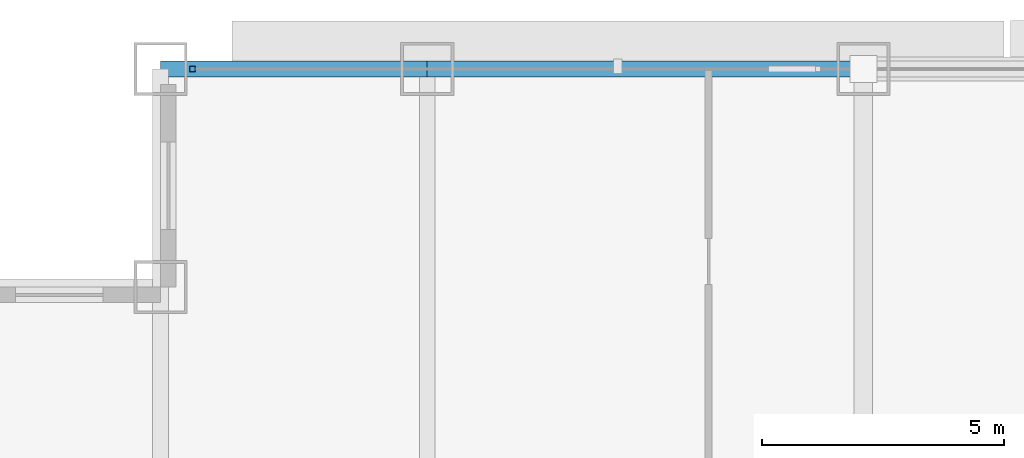
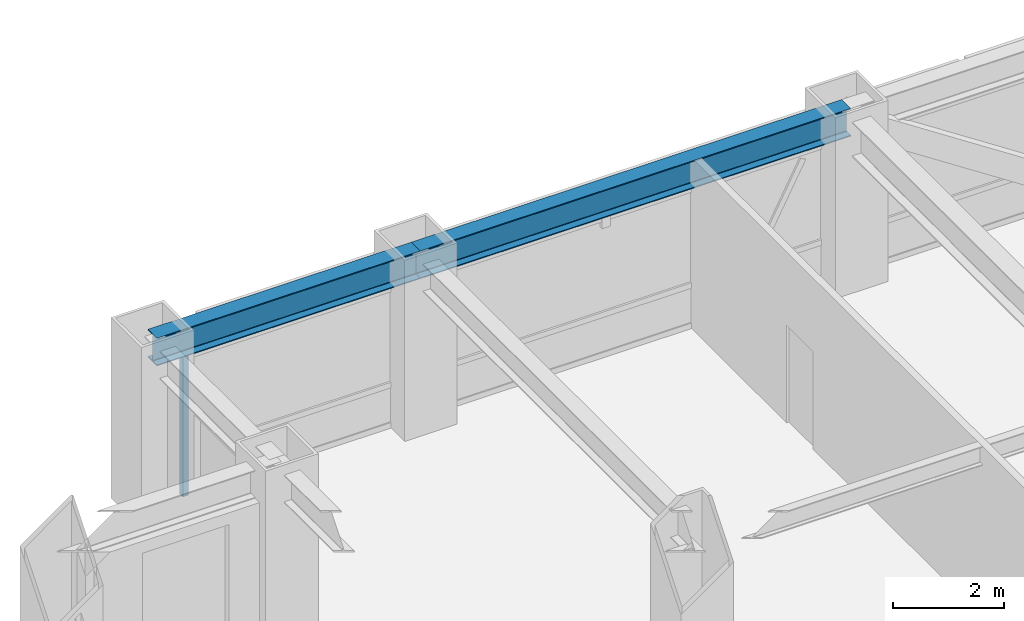
# One storey, part 14 of 28: 2 beams, 1 member, 1 element without a shape of its own.
"""IFC4 building model written with IfcOpenShell, lengths in metres."""

from ifc_helpers import new_model, si_unit, direction, frame, origin, origin_2d, place, context, subcontext, project, spatial, hollow_rectangle, i_section, extrude, source, transform, mapped, material, material_profile, profile_set, type_object, element, aggregate, save


model = new_model("IFC4")

# Units and contexts
model_context = context("Model", 3, precision=1e-05, world=origin(), true_north=direction((0.0, 1.0)))
body_context = subcontext(model_context, "Body", "Model", "MODEL_VIEW")
ifc_project = project(units=[si_unit("LENGTHUNIT", "METRE"), si_unit("AREAUNIT", "SQUARE_METRE"), si_unit("VOLUMEUNIT", "CUBIC_METRE"), si_unit("PLANEANGLEUNIT", "RADIAN"), si_unit("MASSUNIT", "GRAM", prefix="KILO")], contexts=[model_context])

# Site, building, storey
site_placement = place(None, origin())
site = spatial("IfcSite", under=ifc_project, at=site_placement, CompositionType="ELEMENT")
building_placement = place(site_placement, origin())
building = spatial("IfcBuilding", under=site, at=building_placement, Name="Khorayat Bourse Tower", CompositionType="ELEMENT")
storey_placement = place(building_placement, frame((0.0, 0.0, 191.10009765625)))
storey = spatial("IfcBuildingStorey", under=building, at=storey_placement, Name="L44", CompositionType="ELEMENT", Elevation=191.10009765625)

# Beams
ifc_material_1 = material(Name="Steel ASTM A992 Grade 50", Category="steel")
ifc_material_profile_1 = material_profile(ifc_material_1, i_section(OverallWidth=0.324951171875, OverallDepth=0.615966796875, WebThickness=0.013916015625, FlangeThickness=0.021484375, FilletRadius=0.01611328125, at=origin_2d()), Name="W610X174")
ifc_profile_set_1 = profile_set([ifc_material_profile_1], Name="Steel ASTM A992 Grade 50")
beam_type = type_object("IfcBeamType", Name="BM-SPAN-610", PredefinedType="SPANDREL", material=ifc_profile_set_1)
shared_shape_1 = source(origin(), body_context, "Body", "SweptSolid", [
    extrude(i_section(OverallWidth=0.324951171875, OverallDepth=0.615966796875, WebThickness=0.013916015625, FlangeThickness=0.021484375, FilletRadius=0.01611328125, at=origin_2d()), origin(), (0.0, 0.0, 1.0), 5.5),
])
beam_1_placement = place(storey_placement, frame((-25.5, 30.0, 3.471923828125), z_axis=(1.0, 0.0, 0.0), x_axis=(0.0, 1.0, 0.0)))
element("IfcBeam", 1, at=beam_1_placement, inside=storey, type_object=beam_type, Name="L44 BM-SPAN-610 BM-L44-SPN-051", PredefinedType="SPANDREL", context=body_context, shape_type="MappedRepresentation", body=[
    mapped(shared_shape_1, transform((0.0, 0.0, 0.0), scale=1.0)),
])
shared_shape_2 = source(origin(), body_context, "Body", "SweptSolid", [
    extrude(i_section(OverallWidth=0.324951171875, OverallDepth=0.615966796875, WebThickness=0.013916015625, FlangeThickness=0.021484375, FilletRadius=0.01611328125, at=origin_2d()), origin(), (0.0, 0.0, 1.0), 9.0),
])
beam_2_placement = place(storey_placement, frame((-20.0, 30.0, 3.471923828125), z_axis=(1.0, 0.0, 0.0), x_axis=(0.0, 1.0, 0.0)))
element("IfcBeam", 2, at=beam_2_placement, inside=storey, type_object=beam_type, Name="L44 BM-SPAN-610 BM-L44-SPN-050", PredefinedType="SPANDREL", context=body_context, shape_type="MappedRepresentation", body=[
    mapped(shared_shape_2, transform((0.0, 0.0, 0.0), scale=1.0)),
])

# Curtain wall, member
ifc_material_2 = material(Name="Aluminium EN AW-6063 T6", Category="aluminium")
curtain_wall_type = type_object("IfcCurtainWallType", Name="CW-SYS-03", PredefinedType="NOTDEFINED", material=ifc_material_2)
curtain_wall_placement = place(storey_placement, origin())
curtain_wall = element("IfcCurtainWall", 3, at=curtain_wall_placement, inside=storey, type_object=curtain_wall_type, Name="L44 Curtain Wall CW-L44-N1", PredefinedType="NOTDEFINED")
ifc_material_profile_2 = material_profile(ifc_material_2, hollow_rectangle(XDim=0.1201171875, YDim=0.1201171875, WallThickness=0.0048828125, at=origin_2d()), Name="ALU 120x120x5")
ifc_profile_set_2 = profile_set([ifc_material_profile_2], Name="Aluminium EN AW-6063 T6")
member_type = type_object("IfcMemberType", Name="CWM-VERT-120", PredefinedType="MULLION", material=ifc_profile_set_2)
shared_shape_3 = source(origin(), body_context, "Body", "SweptSolid", [
    extrude(hollow_rectangle(XDim=0.1201171875, YDim=0.1201171875, WallThickness=0.0048828125, at=origin_2d()), origin(), (0.0, 0.0, 1.0), 3.1298828125),
])
member_placement = place(storey_placement, frame((-24.840087890625, 30.0, 0.0), z_axis=(0.0, 0.0, 1.0), x_axis=(0.0, 1.0, 0.0)))
member = element("IfcMember", 4, at=member_placement, type_object=member_type, Name="CW-L44-N1 Vertical Mullion 1", PredefinedType="MULLION", context=body_context, shape_type="MappedRepresentation", body=[
    mapped(shared_shape_3, transform((0.0, 0.0, 0.0), scale=1.0)),
])
aggregate(curtain_wall, [member])

save(model, "model.ifc")
